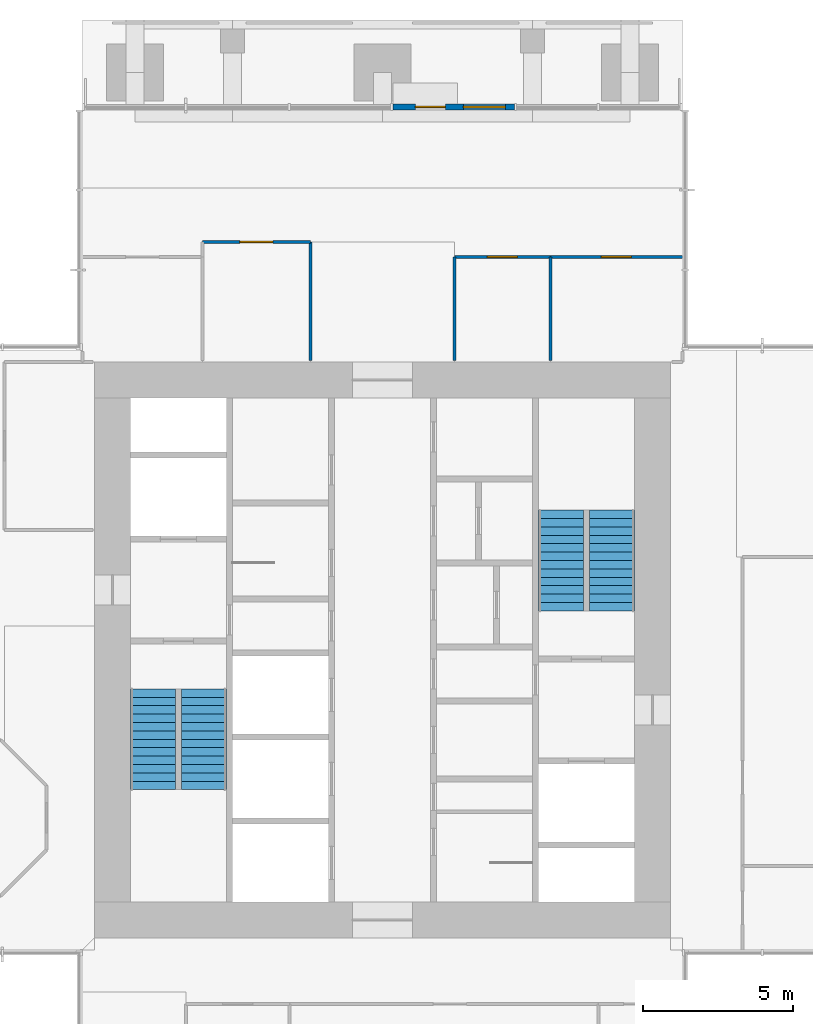
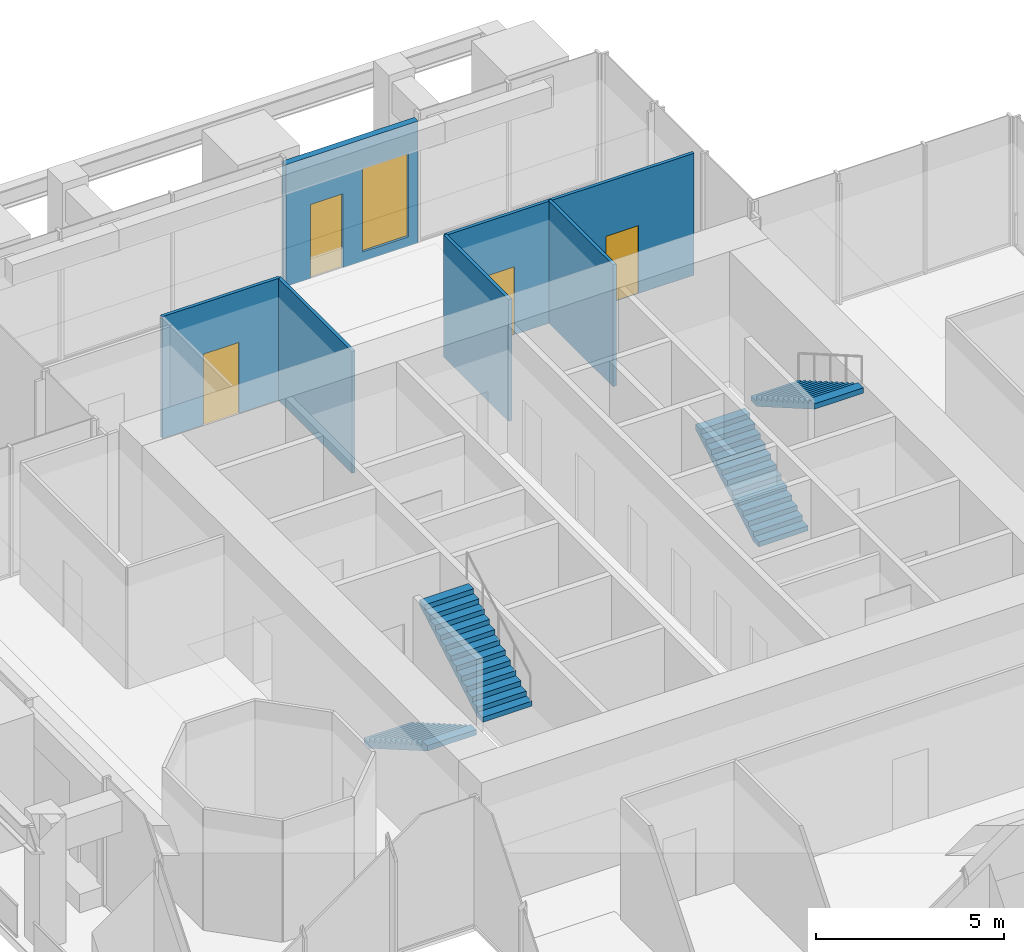
# One storey, part 9 of 12: 7 walls, 4 doors, 4 stair flights, 1 window, 5 openings, 2 elements without a shape of their own.
"""IFC4 building model written with IfcOpenShell, lengths in metres."""

from ifc_helpers import new_model, si_unit, direction, frame, frame_2d, origin, place, context, subcontext, project, spatial, polyline, rectangle, outline, extrude, material, layer, layer_set, type_object, element, fill, aggregate, save


model = new_model("IFC4")

# Units and contexts
model_context = context("Model", 3, precision=1e-05, world=origin(), true_north=direction((0.0, 1.0)))
body_context = subcontext(model_context, "Body", "Model", "MODEL_VIEW")
ifc_project = project(units=[si_unit("LENGTHUNIT", "METRE"), si_unit("AREAUNIT", "SQUARE_METRE"), si_unit("VOLUMEUNIT", "CUBIC_METRE"), si_unit("PLANEANGLEUNIT", "RADIAN"), si_unit("MASSUNIT", "GRAM", prefix="KILO")], contexts=[model_context])

# Site, building, storey
site_placement = place(None, origin())
site = spatial("IfcSite", under=ifc_project, at=site_placement, CompositionType="ELEMENT")
building_placement = place(site_placement, origin())
building = spatial("IfcBuilding", under=site, at=building_placement, Name="Svetlomir Tower", CompositionType="ELEMENT")
storey_placement = place(building_placement, frame((0.0, 0.0, 269.199951171875)))
storey = spatial("IfcBuildingStorey", under=building, at=storey_placement, Name="L64", CompositionType="ELEMENT", Elevation=269.199951171875)

# Wall, openings, door, window
ifc_material_1 = material(Name="Bronze anodised aluminium glazed screen", Category="aluminium")
ifc_layer_1 = layer(ifc_material_1, 0.199951171875)
ifc_layer_set_1 = layer_set([ifc_layer_1], Name="Bronze anodised aluminium glazed screen")
wall_type_1 = type_object("IfcWallType", Name="BALCONY SCREEN WALL 200", PredefinedType="USERDEFINED", material=ifc_layer_set_1)
wall_1_placement = place(storey_placement, frame((25.39990234375, 39.10009765625, 0.0), z_axis=(0.0, 0.0, 1.0), x_axis=(-1.0, 0.0, 0.0)))
wall_1 = element("IfcWall", 1, at=wall_1_placement, inside=storey, type_object=wall_type_1, Name="Balcony screen N", ObjectType="GLAZED SCREEN", PredefinedType="USERDEFINED", context=body_context, shape_type="SweptSolid", body=[
    extrude(rectangle(XDim=4.0498046875, YDim=0.199951171875, at=frame_2d((2.02490234375, 0.0))), origin(), (0.0, 0.0, 1.0), 3.949951171875),
])
opening_1_placement = place(wall_1_placement, frame((2.300048828125, 0.0, 0.0)))
opening_1 = element("IfcOpeningElement", 2, at=opening_1_placement, cuts=wall_1, Name="Opening BD", PredefinedType="OPENING", context=body_context, shape_type="SweptSolid", body=[
    extrude(rectangle(XDim=1.0, YDim=2.39990234375, at=frame_2d((0.5, 1.199951171875))), frame((0.0, 0.10986328125, 0.0), z_axis=(0.0, -1.0, 0.0), x_axis=(1.0, 0.0, 0.0)), (0.0, 0.0, 1.0), 0.219970703125),
])
opening_2_placement = place(wall_1_placement, frame((0.300048828125, 0.0, 0.300048828125)))
opening_2 = element("IfcOpeningElement", 3, at=opening_2_placement, cuts=wall_1, Name="Opening WS2", PredefinedType="OPENING", context=body_context, shape_type="SweptSolid", body=[
    extrude(rectangle(XDim=1.39990234375, YDim=2.699951171875, at=frame_2d((0.699951171875, 1.35009765625))), frame((0.0, 0.10986328125, 0.0), z_axis=(0.0, -1.0, 0.0), x_axis=(1.0, 0.0, 0.0)), (0.0, 0.0, 1.0), 0.219970703125),
])
ifc_material_2 = material(Name="Bronze anodised aluminium glazed door", Category="aluminium")
door_type_1 = type_object("IfcDoorType", Name="BALCONY DOOR BD 1000x2400", OperationType="SINGLE_SWING_LEFT", PredefinedType="DOOR", material=ifc_material_2)
door_1_placement = place(opening_1_placement, origin())
door_1 = element("IfcDoor", 4, at=door_1_placement, inside=storey, type_object=door_type_1, Name="Balcony screen N door", OperationType="SINGLE_SWING_LEFT", OverallHeight=2.39990234375, OverallWidth=1.0, PredefinedType="DOOR", context=body_context, shape_type="SweptSolid", body=[
    extrude(rectangle(XDim=1.0, YDim=2.39990234375, at=frame_2d((0.5, 1.199951171875))), frame((0.0, 0.02490234375, 0.0), z_axis=(0.0, -1.0, 0.0), x_axis=(1.0, 0.0, 0.0)), (0.0, 0.0, 1.0), 0.050048828125),
])
fill(opening_1, door_1)
ifc_material_3 = material(Name="Bronze anodised aluminium window", Category="aluminium")
window_type = type_object("IfcWindowType", Name="SCREEN WINDOW WS2 1400x2700", PartitioningType="SINGLE_PANEL", PredefinedType="WINDOW", material=ifc_material_3)
window_placement = place(opening_2_placement, origin())
window = element("IfcWindow", 5, at=window_placement, inside=storey, type_object=window_type, Name="Balcony screen N window 1", OverallHeight=2.699951171875, OverallWidth=1.39990234375, PartitioningType="SINGLE_PANEL", PredefinedType="WINDOW", context=body_context, shape_type="SweptSolid", body=[
    extrude(rectangle(XDim=1.39990234375, YDim=2.699951171875, at=frame_2d((0.699951171875, 1.35009765625))), frame((0.0, 0.030029296875, 0.0), z_axis=(0.0, -1.0, 0.0), x_axis=(1.0, 0.0, 0.0)), (0.0, 0.0, 1.0), 0.06005859375),
])
fill(opening_2, window)

# Wall, opening, door
ifc_material_4 = material(Name="Framed laminated glass partition", Category="glass")
ifc_layer_2 = layer(ifc_material_4, 0.10009765625)
ifc_layer_set_2 = layer_set([ifc_layer_2], Name="Framed laminated glass partition")
wall_type_2 = type_object("IfcWallType", Name="GLAZED PARTITION 100", PredefinedType="PARTITIONING", material=ifc_layer_set_2)
wall_2_placement = place(storey_placement, frame((15.0, 34.60009765625, 0.0), z_axis=(0.0, 0.0, 1.0), x_axis=(1.0, 0.0, 0.0)))
wall_2 = element("IfcWall", 6, at=wall_2_placement, inside=storey, type_object=wall_type_2, Name="Glazed partition L64", PredefinedType="PARTITIONING", context=body_context, shape_type="SweptSolid", body=[
    extrude(rectangle(XDim=3.60009765625, YDim=0.10009765625, at=frame_2d((1.800048828125, 0.0))), origin(), (0.0, 0.0, 1.0), 3.949951171875),
])
opening_3_placement = place(wall_2_placement, frame((1.25, 0.0, 0.0)))
opening_3 = element("IfcOpeningElement", 7, at=opening_3_placement, cuts=wall_2, Name="Opening DE", PredefinedType="OPENING", context=body_context, shape_type="SweptSolid", body=[
    extrude(rectangle(XDim=1.10009765625, YDim=2.300048828125, at=frame_2d((0.550048828125, 1.14990234375))), frame((0.0, 0.06005859375, 0.0), z_axis=(0.0, -1.0, 0.0), x_axis=(1.0, 0.0, 0.0)), (0.0, 0.0, 1.0), 0.1201171875),
])
ifc_material_5 = material(Name="Walnut veneered timber door", Category="wood")
door_type_2 = type_object("IfcDoorType", Name="DOOR DE 1100x2300", OperationType="SINGLE_SWING_LEFT", PredefinedType="DOOR", material=ifc_material_5)
door_2_placement = place(opening_3_placement, origin())
door_2 = element("IfcDoor", 8, at=door_2_placement, inside=storey, type_object=door_type_2, Name="Executive meeting room, 4 seats door L64", OperationType="SINGLE_SWING_LEFT", OverallHeight=2.300048828125, OverallWidth=1.10009765625, PredefinedType="DOOR", context=body_context, shape_type="SweptSolid", body=[
    extrude(rectangle(XDim=1.10009765625, YDim=2.300048828125, at=frame_2d((0.550048828125, 1.14990234375))), frame((0.0, 0.02490234375, 0.0), z_axis=(0.0, -1.0, 0.0), x_axis=(1.0, 0.0, 0.0)), (0.0, 0.0, 1.0), 0.050048828125),
])
fill(opening_3, door_2)

# Walls
wall_3_placement = place(storey_placement, frame((18.60009765625, 30.64990234375, 0.0), z_axis=(0.0, 0.0, 1.0), x_axis=(0.0, 1.0, 0.0)))
element("IfcWall", 9, at=wall_3_placement, inside=storey, type_object=wall_type_2, Name="Glazed partition L64", PredefinedType="PARTITIONING", context=body_context, shape_type="SweptSolid", body=[
    extrude(rectangle(XDim=3.9501953125, YDim=0.10009765625, at=frame_2d((1.97509765625, 0.0))), origin(), (0.0, 0.0, 1.0), 3.949951171875),
])
wall_4_placement = place(storey_placement, frame((23.39990234375, 30.64990234375, 0.0), z_axis=(0.0, 0.0, 1.0), x_axis=(0.0, 1.0, 0.0)))
element("IfcWall", 10, at=wall_4_placement, inside=storey, type_object=wall_type_2, Name="Partition L64", PredefinedType="PARTITIONING", context=body_context, shape_type="SweptSolid", body=[
    extrude(rectangle(XDim=3.4501953125, YDim=0.10009765625, at=frame_2d((1.72509765625, 0.0))), origin(), (0.0, 0.0, 1.0), 3.949951171875),
])

# Wall, opening, door
wall_5_placement = place(storey_placement, frame((23.39990234375, 34.10009765625, 0.0), z_axis=(0.0, 0.0, 1.0), x_axis=(1.0, 0.0, 0.0)))
wall_5 = element("IfcWall", 11, at=wall_5_placement, inside=storey, type_object=wall_type_2, Name="Partition L64", PredefinedType="PARTITIONING", context=body_context, shape_type="SweptSolid", body=[
    extrude(rectangle(XDim=3.2001953125, YDim=0.10009765625, at=frame_2d((1.60009765625, 0.0))), origin(), (0.0, 0.0, 1.0), 3.949951171875),
])
opening_4_placement = place(wall_5_placement, frame((1.10009765625, 0.0, 0.0)))
opening_4 = element("IfcOpeningElement", 12, at=opening_4_placement, cuts=wall_5, Name="Opening DR", PredefinedType="OPENING", context=body_context, shape_type="SweptSolid", body=[
    extrude(rectangle(XDim=1.0, YDim=2.199951171875, at=frame_2d((0.5, 1.10009765625))), frame((0.0, 0.06005859375, 0.0), z_axis=(0.0, -1.0, 0.0), x_axis=(1.0, 0.0, 0.0)), (0.0, 0.0, 1.0), 0.1201171875),
])
ifc_material_6 = material(Name="Timber door, glazed side light", Category="wood")
door_type_3 = type_object("IfcDoorType", Name="DOOR DR 1000x2200", OperationType="SINGLE_SWING_LEFT", PredefinedType="DOOR", material=ifc_material_6)
door_3_placement = place(opening_4_placement, origin())
door_3 = element("IfcDoor", 13, at=door_3_placement, inside=storey, type_object=door_type_3, Name="Print and copy room door L64", OperationType="SINGLE_SWING_RIGHT", OverallHeight=2.199951171875, OverallWidth=1.0, PredefinedType="DOOR", context=body_context, shape_type="SweptSolid", body=[
    extrude(rectangle(XDim=1.0, YDim=2.199951171875, at=frame_2d((0.5, 1.10009765625))), frame((0.0, 0.02490234375, 0.0), z_axis=(0.0, -1.0, 0.0), x_axis=(1.0, 0.0, 0.0)), (0.0, 0.0, 1.0), 0.050048828125),
])
fill(opening_4, door_3)

# Wall
wall_6_placement = place(storey_placement, frame((26.60009765625, 30.64990234375, 0.0), z_axis=(0.0, 0.0, 1.0), x_axis=(0.0, 1.0, 0.0)))
element("IfcWall", 14, at=wall_6_placement, inside=storey, type_object=wall_type_2, Name="Partition L64", PredefinedType="PARTITIONING", context=body_context, shape_type="SweptSolid", body=[
    extrude(rectangle(XDim=3.4501953125, YDim=0.10009765625, at=frame_2d((1.72509765625, 0.0))), origin(), (0.0, 0.0, 1.0), 3.949951171875),
])

# Wall, opening, door
wall_7_placement = place(storey_placement, frame((26.60009765625, 34.10009765625, 0.0), z_axis=(0.0, 0.0, 1.0), x_axis=(1.0, 0.0, 0.0)))
wall_7 = element("IfcWall", 15, at=wall_7_placement, inside=storey, type_object=wall_type_2, Name="Partition L64", PredefinedType="PARTITIONING", context=body_context, shape_type="SweptSolid", body=[
    extrude(rectangle(XDim=4.39990234375, YDim=0.10009765625, at=frame_2d((2.199951171875, 0.0))), origin(), (0.0, 0.0, 1.0), 3.949951171875),
])
opening_5_placement = place(wall_7_placement, frame((1.699951171875, 0.0, 0.0)))
opening_5 = element("IfcOpeningElement", 16, at=opening_5_placement, cuts=wall_7, Name="Opening DR", PredefinedType="OPENING", context=body_context, shape_type="SweptSolid", body=[
    extrude(rectangle(XDim=1.0, YDim=2.199951171875, at=frame_2d((0.5, 1.10009765625))), frame((0.0, 0.06005859375, 0.0), z_axis=(0.0, -1.0, 0.0), x_axis=(1.0, 0.0, 0.0)), (0.0, 0.0, 1.0), 0.1201171875),
])
door_4_placement = place(opening_5_placement, origin())
door_4 = element("IfcDoor", 17, at=door_4_placement, inside=storey, type_object=door_type_3, Name="Store door L64", OperationType="SINGLE_SWING_LEFT", OverallHeight=2.199951171875, OverallWidth=1.0, PredefinedType="DOOR", context=body_context, shape_type="SweptSolid", body=[
    extrude(rectangle(XDim=1.0, YDim=2.199951171875, at=frame_2d((0.5, 1.10009765625))), frame((0.0, 0.02490234375, 0.0), z_axis=(0.0, -1.0, 0.0), x_axis=(1.0, 0.0, 0.0)), (0.0, 0.0, 1.0), 0.050048828125),
])
fill(opening_5, door_4)

# Stair, stair flights
ifc_material_7 = material(Name="Concrete C60/75", Category="concrete")
stair_type = type_object("IfcStairType", Name="EXIT STAIR 3200 RISE 4200", PredefinedType="HALF_TURN_STAIR", material=ifc_material_7)
stair_1_placement = place(storey_placement, origin())
stair_1 = element("IfcStair", 18, at=stair_1_placement, inside=storey, type_object=stair_type, Name="Stair S1 L64 to L65", PredefinedType="HALF_TURN_STAIR")
ifc_material_8 = material(Name="Concrete C60/75", Category="concrete")
stair_flight_type = type_object("IfcStairFlightType", Name="STAIR FLIGHT 1500 OF 13 RISERS", PredefinedType="STRAIGHT", material=ifc_material_8)
stair_flight_1_placement = place(storey_placement, frame((13.35009765625, 19.699951171875, 0.0), z_axis=(0.0, 0.0, 1.0), x_axis=(0.0, -1.0, 0.0)))
stair_flight_1 = element("IfcStairFlight", 19, at=stair_flight_1_placement, type_object=stair_flight_type, Name="S1 flight 1", NumberOfRisers=13, NumberOfTreads=12, PredefinedType="STRAIGHT", RiserHeight=0.161538462, TreadLength=0.28, context=body_context, shape_type="SweptSolid", body=[
    extrude(outline(polyline([(0.0, 0.0), (0.0, 0.16162109375), (0.280029296875, 0.16162109375), (0.280029296875, 0.322998046875), (0.56005859375, 0.322998046875), (0.56005859375, 0.484619140625), (0.840087890625, 0.484619140625), (0.840087890625, 0.646240234375), (1.1201171875, 0.646240234375), (1.1201171875, 0.8076171875), (1.39990234375, 0.8076171875), (1.39990234375, 0.96923828125), (1.679931640625, 0.96923828125), (1.679931640625, 1.130859375), (1.9599609375, 1.130859375), (1.9599609375, 1.292236328125), (2.239990234375, 1.292236328125), (2.239990234375, 1.453857421875), (2.52001953125, 1.453857421875), (2.52001953125, 1.615478515625), (2.800048828125, 1.615478515625), (2.800048828125, 1.77685546875), (3.080078125, 1.77685546875), (3.080078125, 1.9384765625), (3.360107421875, 1.9384765625), (3.360107421875, 2.10009765625), (3.360107421875, 1.765380859375), (0.300048828125, 0.0), (0.0, 0.0)])), frame((0.0, 0.75, 0.0), z_axis=(0.0, -1.0, 0.0), x_axis=(1.0, 0.0, 0.0)), (0.0, 0.0, 1.0), 1.5),
])
stair_flight_2_placement = place(storey_placement, frame((15.050048828125, 16.340087890625, 2.10009765625), z_axis=(0.0, 0.0, 1.0), x_axis=(0.0, 1.0, 0.0)))
stair_flight_2 = element("IfcStairFlight", 20, at=stair_flight_2_placement, type_object=stair_flight_type, Name="S1 flight 2", NumberOfRisers=13, NumberOfTreads=12, PredefinedType="STRAIGHT", RiserHeight=0.161538462, TreadLength=0.28, context=body_context, shape_type="SweptSolid", body=[
    extrude(outline(polyline([(0.0, 0.0), (0.0, 0.16162109375), (0.280029296875, 0.16162109375), (0.280029296875, 0.322998046875), (0.56005859375, 0.322998046875), (0.56005859375, 0.484619140625), (0.840087890625, 0.484619140625), (0.840087890625, 0.646240234375), (1.1201171875, 0.646240234375), (1.1201171875, 0.8076171875), (1.39990234375, 0.8076171875), (1.39990234375, 0.96923828125), (1.679931640625, 0.96923828125), (1.679931640625, 1.130859375), (1.9599609375, 1.130859375), (1.9599609375, 1.292236328125), (2.239990234375, 1.292236328125), (2.239990234375, 1.453857421875), (2.52001953125, 1.453857421875), (2.52001953125, 1.615478515625), (2.800048828125, 1.615478515625), (2.800048828125, 1.77685546875), (3.080078125, 1.77685546875), (3.080078125, 1.9384765625), (3.360107421875, 1.9384765625), (3.360107421875, 2.10009765625), (3.360107421875, 1.765380859375), (0.300048828125, 0.0), (0.0, 0.0)])), frame((0.0, 0.75, 0.0), z_axis=(0.0, -1.0, 0.0), x_axis=(1.0, 0.0, 0.0)), (0.0, 0.0, 1.0), 1.5),
])
aggregate(stair_1, [stair_flight_1, stair_flight_2])

stair_2_placement = place(storey_placement, origin())
stair_2 = element("IfcStair", 21, at=stair_2_placement, inside=storey, type_object=stair_type, Name="Stair S2 L64 to L65", PredefinedType="HALF_TURN_STAIR")
stair_flight_3_placement = place(storey_placement, frame((26.949951171875, 22.300048828125, 0.0), z_axis=(0.0, 0.0, 1.0), x_axis=(0.0, 1.0, 0.0)))
stair_flight_3 = element("IfcStairFlight", 22, at=stair_flight_3_placement, type_object=stair_flight_type, Name="S2 flight 1", NumberOfRisers=13, NumberOfTreads=12, PredefinedType="STRAIGHT", RiserHeight=0.161538462, TreadLength=0.28, context=body_context, shape_type="SweptSolid", body=[
    extrude(outline(polyline([(0.0, 0.0), (0.0, 0.16162109375), (0.280029296875, 0.16162109375), (0.280029296875, 0.322998046875), (0.56005859375, 0.322998046875), (0.56005859375, 0.484619140625), (0.840087890625, 0.484619140625), (0.840087890625, 0.646240234375), (1.1201171875, 0.646240234375), (1.1201171875, 0.8076171875), (1.39990234375, 0.8076171875), (1.39990234375, 0.96923828125), (1.679931640625, 0.96923828125), (1.679931640625, 1.130859375), (1.9599609375, 1.130859375), (1.9599609375, 1.292236328125), (2.239990234375, 1.292236328125), (2.239990234375, 1.453857421875), (2.52001953125, 1.453857421875), (2.52001953125, 1.615478515625), (2.800048828125, 1.615478515625), (2.800048828125, 1.77685546875), (3.080078125, 1.77685546875), (3.080078125, 1.9384765625), (3.360107421875, 1.9384765625), (3.360107421875, 2.10009765625), (3.360107421875, 1.765380859375), (0.300048828125, 0.0), (0.0, 0.0)])), frame((0.0, 0.75, 0.0), z_axis=(0.0, -1.0, 0.0), x_axis=(1.0, 0.0, 0.0)), (0.0, 0.0, 1.0), 1.5),
])
stair_flight_4_placement = place(storey_placement, frame((28.64990234375, 25.659912109375, 2.10009765625), z_axis=(0.0, 0.0, 1.0), x_axis=(0.0, -1.0, 0.0)))
stair_flight_4 = element("IfcStairFlight", 23, at=stair_flight_4_placement, type_object=stair_flight_type, Name="S2 flight 2", NumberOfRisers=13, NumberOfTreads=12, PredefinedType="STRAIGHT", RiserHeight=0.161538462, TreadLength=0.28, context=body_context, shape_type="SweptSolid", body=[
    extrude(outline(polyline([(0.0, 0.0), (0.0, 0.16162109375), (0.280029296875, 0.16162109375), (0.280029296875, 0.322998046875), (0.56005859375, 0.322998046875), (0.56005859375, 0.484619140625), (0.840087890625, 0.484619140625), (0.840087890625, 0.646240234375), (1.1201171875, 0.646240234375), (1.1201171875, 0.8076171875), (1.39990234375, 0.8076171875), (1.39990234375, 0.96923828125), (1.679931640625, 0.96923828125), (1.679931640625, 1.130859375), (1.9599609375, 1.130859375), (1.9599609375, 1.292236328125), (2.239990234375, 1.292236328125), (2.239990234375, 1.453857421875), (2.52001953125, 1.453857421875), (2.52001953125, 1.615478515625), (2.800048828125, 1.615478515625), (2.800048828125, 1.77685546875), (3.080078125, 1.77685546875), (3.080078125, 1.9384765625), (3.360107421875, 1.9384765625), (3.360107421875, 2.10009765625), (3.360107421875, 1.765380859375), (0.300048828125, 0.0), (0.0, 0.0)])), frame((0.0, 0.75, 0.0), z_axis=(0.0, -1.0, 0.0), x_axis=(1.0, 0.0, 0.0)), (0.0, 0.0, 1.0), 1.5),
])
aggregate(stair_2, [stair_flight_3, stair_flight_4])

save(model, "model.ifc")
